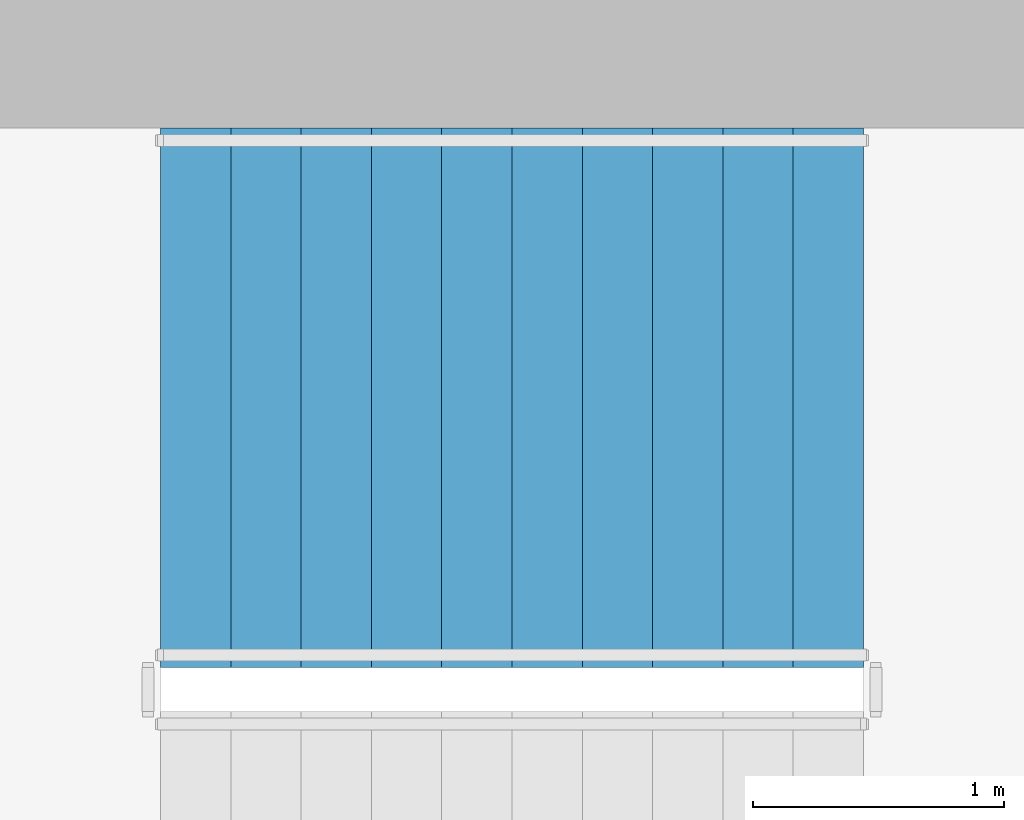
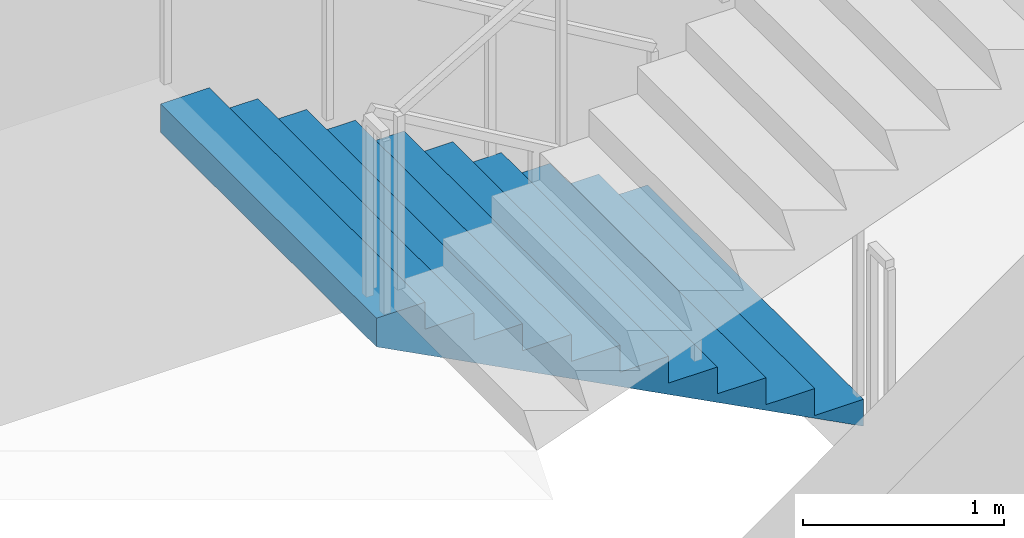
# One storey, part 12 of 20: 1 stair flight, 1 element without a shape of its own.
"""IFC4 building model written with IfcOpenShell, lengths in metres."""

import ifcopenshell
import ifcopenshell.guid

model = None  # the IFC model being written
_history = None  # IfcOwnerHistory: only IFC2X3 demands one
_inside = {}  # id of a spatial element -> (the spatial element, [elements in it])
_under = {}  # id of a project, library or spatial element -> (it, [spatial elements below it])
_declared = {}  # id of a project -> (the project, [libraries it declares])
_typed = {}  # id of a type object -> (the type object, [elements of that type])
_made_of = {}  # id of a material, layer set ... -> (it, [elements and type objects made of it])


def new_model(schema):
    """Start an empty IFC model of exactly this schema.

    Asked for "IFC4X3", IfcOpenShell would pick the latest addendum, in which some entities
    have other attributes; the version numbers below select the first issue.
    IFC2X3 requires an IfcOwnerHistory on every rooted entity: one is made here for all.
    """
    global model, _history
    if schema == "IFC4X3":
        model = ifcopenshell.file(schema_version=(4, 3, 0, 0))
    else:
        model = ifcopenshell.file(schema=schema)
    _inside.clear()
    _under.clear()
    _declared.clear()
    _typed.clear()
    _made_of.clear()
    _history = None
    if model.schema == "IFC2X3":
        org = make("IfcOrganization", Name="unknown")
        user = make(
            "IfcPersonAndOrganization",
            ThePerson=make("IfcPerson", FamilyName="unknown"),
            TheOrganization=org,
        )
        app = make(
            "IfcApplication",
            ApplicationDeveloper=org,
            Version="unknown",
            ApplicationFullName="unknown",
            ApplicationIdentifier="unknown",
        )
        _history = make(
            "IfcOwnerHistory",
            OwningUser=user,
            OwningApplication=app,
            ChangeAction="ADDED",
            CreationDate=0,
        )
    return model


def make(cls, **values):
    """One entity of the class cls with the attributes given. An attribute that is None is left unset."""
    return model.create_entity(
        cls, **{name: value for name, value in values.items() if value is not None}
    )


def rooted(cls, **values):
    """An entity with a GlobalId (a new one), such as an element, a storey or a relation."""
    return make(cls, GlobalId=ifcopenshell.guid.new(), OwnerHistory=_history, **values)


def si_unit(unit_type, name, prefix=None):
    """IfcSIUnit, for example si_unit("LENGTHUNIT", "METRE", prefix="MILLI")."""
    return make("IfcSIUnit", UnitType=unit_type, Prefix=prefix, Name=name)


def assignment(units):
    """IfcUnitAssignment: the units of a project."""
    return None if units is None else make("IfcUnitAssignment", Units=units)


def point(xyz):
    """IfcCartesianPoint."""
    return None if xyz is None else make("IfcCartesianPoint", Coordinates=xyz)


def direction(xyz):
    """IfcDirection."""
    return None if xyz is None else make("IfcDirection", DirectionRatios=xyz)


def frame(location, z_axis=None, x_axis=None):
    """IfcAxis2Placement3D, a coordinate frame: its origin and axes. An axis left out is left unset."""
    return make(
        "IfcAxis2Placement3D",
        Location=point(location),
        Axis=direction(z_axis),
        RefDirection=direction(x_axis),
    )


def origin():
    """The frame at (0, 0, 0) with its axes left unset."""
    return frame((0.0, 0.0, 0.0))


def place(relative_to, where):
    """IfcLocalPlacement: puts the frame where relative to a parent placement (None: the world)."""
    return make(
        "IfcLocalPlacement", PlacementRelTo=relative_to, RelativePlacement=where
    )


def context(
    kind, dimensions, precision=None, world=None, true_north=None, identifier=None
):
    """IfcGeometricRepresentationContext, for example the 3D "Model" context."""
    return make(
        "IfcGeometricRepresentationContext",
        ContextIdentifier=identifier,
        ContextType=kind,
        CoordinateSpaceDimension=dimensions,
        Precision=precision,
        WorldCoordinateSystem=world,
        TrueNorth=true_north,
    )


def subcontext(parent, identifier, kind, view, scale=None):
    """IfcGeometricRepresentationSubContext, for example "Body" below "Model"."""
    return make(
        "IfcGeometricRepresentationSubContext",
        ContextIdentifier=identifier,
        ContextType=kind,
        ParentContext=parent,
        TargetScale=scale,
        TargetView=view,
    )


def project(units=None, contexts=None):
    """IfcProject with its units and contexts."""
    return rooted(
        "IfcProject",
        Name="project",
        RepresentationContexts=contexts,
        UnitsInContext=assignment(units),
    )


def spatial(cls, under=None, at=None, **own):
    """A site, building, storey or space (cls), placed at a placement, below another one or the project."""
    s = rooted(cls, ObjectPlacement=at, **own)
    if under is not None:
        _under.setdefault(under.id(), (under, []))[1].append(s)
    return s


def point_list(points):
    """IfcCartesianPointList2D or 3D."""
    cls = (
        "IfcCartesianPointList2D" if len(points[0]) == 2 else "IfcCartesianPointList3D"
    )
    return make(cls, CoordList=points)


def triangles(points, corners, closed=None, point_numbers=None):
    """IfcTriangulatedFaceSet: each triangle names its three corners, points numbered from 1."""
    return make(
        "IfcTriangulatedFaceSet",
        Coordinates=point_list(points),
        Closed=closed,
        CoordIndex=corners,
        PnIndex=point_numbers,
    )


def shape(context_of_items, identifier, shape_type, items):
    """IfcShapeRepresentation: the items that make up one representation, for example the "Body"."""
    return make(
        "IfcShapeRepresentation",
        ContextOfItems=context_of_items,
        RepresentationIdentifier=identifier,
        RepresentationType=shape_type,
        Items=items,
    )


def material(Name=None, Category=None):
    """IfcMaterial."""
    return make("IfcMaterial", Name=Name, Category=Category)


def made_of(thing, what):
    """Note that an element or type object is made of a material, layer set ...; save() writes the relation."""
    if what is not None:
        _made_of.setdefault(what.id(), (what, []))[1].append(thing)
    return thing


def type_object(cls, material=None, **own):
    """A type object (cls), such as IfcWallType, which elements share."""
    return made_of(rooted(cls, **own), material)


def element(
    cls,
    number,
    at=None,
    inside=None,
    cuts=None,
    type_object=None,
    material=None,
    context=None,
    identifier="Body",
    shape_type=None,
    held_by="IfcProductDefinitionShape",
    body=None,
    shapes=None,
    **own,
):
    """One element of the class cls, such as IfcWall. Its Tag is "e" and its number.

    at: its placement. inside: the storey or other place that contains it. cuts: it is an
    opening in that element (IfcRelVoidsElement). A single representation is given by context,
    identifier, shape_type and body (its items); several are given by shapes. held_by: the class
    of the entity that holds the representations. save() writes the other relations.
    """
    e = rooted(cls, Tag="e%d" % number, ObjectPlacement=at, **own)
    if body is not None:
        shapes = [shape(context, identifier, shape_type, body)]
    if shapes is not None:
        e.Representation = make(held_by, Representations=shapes)
    if inside is not None:
        _inside.setdefault(inside.id(), (inside, []))[1].append(e)
    if cuts is not None:
        rooted(
            "IfcRelVoidsElement", RelatingBuildingElement=cuts, RelatedOpeningElement=e
        )
    if type_object is not None:
        _typed.setdefault(type_object.id(), (type_object, []))[1].append(e)
    return made_of(e, material)


def aggregate(whole, parts):
    """IfcRelAggregates: a whole, such as a stair, and the parts it consists of."""
    return rooted("IfcRelAggregates", RelatingObject=whole, RelatedObjects=parts)


def save(model, path):
    """Write the relations noted so far, then the file.

    IfcRelAggregates (storeys below a building ...), IfcRelContainedInSpatialStructure (elements
    in a storey), IfcRelDefinesByType, IfcRelAssociatesMaterial and IfcRelDeclares: one each for
    every whole, place, type object, material and project.
    """
    for whole, parts in _under.values():
        aggregate(whole, parts)
    for where, things in _inside.values():
        rooted(
            "IfcRelContainedInSpatialStructure",
            RelatedElements=things,
            RelatingStructure=where,
        )
    for kind, things in _typed.values():
        rooted("IfcRelDefinesByType", RelatedObjects=things, RelatingType=kind)
    for what, things in _made_of.values():
        rooted("IfcRelAssociatesMaterial", RelatedObjects=things, RelatingMaterial=what)
    for by, libraries in _declared.values():
        rooted("IfcRelDeclares", RelatingContext=by, RelatedDefinitions=libraries)
    model.write(path)


model = new_model("IFC4")

# Units and contexts
model_context = context("Model", 3, precision=1e-05, world=origin(), true_north=direction((0.0, 1.0)))
body_context = subcontext(model_context, "Body", "Model", "MODEL_VIEW")
ifc_project = project(units=[si_unit("LENGTHUNIT", "METRE"), si_unit("AREAUNIT", "SQUARE_METRE"), si_unit("VOLUMEUNIT", "CUBIC_METRE"), si_unit("PLANEANGLEUNIT", "RADIAN"), si_unit("MASSUNIT", "GRAM", prefix="KILO")], contexts=[model_context])

# Site, building, storey
site_placement = place(None, origin())
site = spatial("IfcSite", under=ifc_project, at=site_placement, CompositionType="ELEMENT")
building_placement = place(site_placement, origin())
building = spatial("IfcBuilding", under=site, at=building_placement, Name="Cypress Arch Tower", CompositionType="ELEMENT")
storey_placement = place(building_placement, frame((0.0, 0.0, 134.699951171875)))
storey = spatial("IfcBuildingStorey", under=building, at=storey_placement, Name="L29", CompositionType="ELEMENT", Elevation=134.699951171875)

# Stair, stair flight
ifc_material_1 = material(Name="Concrete C40/50", Category="concrete")
stair_type = type_object("IfcStairType", Name="Exit stair ES1636-215", PredefinedType="HALF_TURN_STAIR", material=ifc_material_1)
stair_placement = place(storey_placement, origin())
stair = element("IfcStair", 1, at=stair_placement, inside=storey, type_object=stair_type, Name="L29 Exit stair B", PredefinedType="HALF_TURN_STAIR")
ifc_material_2 = material(Name="Concrete C40/50", Category="concrete")
stair_flight_type = type_object("IfcStairFlightType", Name="Exit stair flight ES1636-215", PredefinedType="STRAIGHT", material=ifc_material_2)
stair_flight_placement = place(storey_placement, frame((-22.27490234375, 13.72509765625, 0.0), z_axis=(0.0, 0.0, 1.0), x_axis=(-1.0, 0.0, 0.0)))
stair_flight = element("IfcStairFlight", 2, at=stair_flight_placement, type_object=stair_flight_type, Name="B flight 1", NumberOfRisers=11, NumberOfTreads=10, PredefinedType="STRAIGHT", RiserHeight=0.163636364, TreadLength=0.28, context=body_context, shape_type="Tessellation", body=[
    triangles([(0.0, -1.074951171875, 0.0), (0.000244140625, -1.074951171875, 0.03271484375), (0.00048828125, -1.074951171875, 0.0654296875), (0.00048828125, -1.074951171875, 0.09814453125), (0.000244140625, -1.074951171875, 0.130859375), (0.0, -1.074951171875, 0.16357421875), (0.280029296875, -1.074951171875, 0.16357421875), (0.280029296875, -1.074951171875, 0.327392578125), (0.56005859375, -1.074951171875, 0.327392578125), (0.56005859375, -1.074951171875, 0.490966796875), (0.840087890625, -1.074951171875, 0.490966796875), (0.840087890625, -1.074951171875, 0.654541015625), (1.1201171875, -1.074951171875, 0.654541015625), (1.1201171875, -1.074951171875, 0.818115234375), (1.39990234375, -1.074951171875, 0.818115234375), (1.39990234375, -1.074951171875, 0.98193359375), (1.679931640625, -1.074951171875, 0.98193359375), (1.679931640625, -1.074951171875, 1.1455078125), (1.9599609375, -1.074951171875, 1.1455078125), (1.9599609375, -1.074951171875, 1.30908203125), (2.239990234375, -1.074951171875, 1.30908203125), (2.239990234375, -1.074951171875, 1.47265625), (2.52001953125, -1.074951171875, 1.47265625), (2.52001953125, -1.074951171875, 1.636474609375), (2.800048828125, -1.074951171875, 1.636474609375), (2.7998046875, -1.074951171875, 1.601806640625), (2.799560546875, -1.074951171875, 1.56689453125), (2.799560546875, -1.074951171875, 1.5322265625), (2.7998046875, -1.074951171875, 1.497314453125), (2.800048828125, -1.074951171875, 1.462646484375), (2.800048828125, 1.074951171875, 1.462646484375), (2.7998046875, 1.074951171875, 1.497314453125), (2.799560546875, 1.074951171875, 1.5322265625), (2.799560546875, 1.074951171875, 1.56689453125), (2.7998046875, 1.074951171875, 1.601806640625), (2.800048828125, 1.074951171875, 1.636474609375), (2.52001953125, 1.074951171875, 1.636474609375), (2.52001953125, 1.074951171875, 1.47265625), (2.239990234375, 1.074951171875, 1.47265625), (2.239990234375, 1.074951171875, 1.30908203125), (1.9599609375, 1.074951171875, 1.30908203125), (1.9599609375, 1.074951171875, 1.1455078125), (1.679931640625, 1.074951171875, 1.1455078125), (1.679931640625, 1.074951171875, 0.98193359375), (1.39990234375, 1.074951171875, 0.98193359375), (1.39990234375, 1.074951171875, 0.818115234375), (1.1201171875, 1.074951171875, 0.818115234375), (1.1201171875, 1.074951171875, 0.654541015625), (0.840087890625, 1.074951171875, 0.654541015625), (0.840087890625, 1.074951171875, 0.490966796875), (0.56005859375, 1.074951171875, 0.490966796875), (0.56005859375, 1.074951171875, 0.327392578125), (0.280029296875, 1.074951171875, 0.327392578125), (0.280029296875, 1.074951171875, 0.16357421875), (0.0, 1.074951171875, 0.16357421875), (0.000244140625, 1.074951171875, 0.130859375), (0.00048828125, 1.074951171875, 0.09814453125), (0.00048828125, 1.074951171875, 0.0654296875), (0.000244140625, 1.074951171875, 0.03271484375), (0.0, 1.074951171875, 0.0), (2.7998046875, 0.0, 1.497314453125), (2.800048828125, 0.0, 1.462646484375), (2.799560546875, 0.0, 1.5322265625), (2.799560546875, 0.0, 1.56689453125), (2.7998046875, 0.0, 1.601806640625), (2.800048828125, 0.0, 1.636474609375), (2.52001953125, 0.0, 1.636474609375), (2.52001953125, 0.0, 1.47265625), (2.239990234375, 0.0, 1.47265625), (2.239990234375, 0.0, 1.30908203125), (1.9599609375, 0.0, 1.30908203125), (1.9599609375, 0.0, 1.1455078125), (1.679931640625, 0.0, 1.1455078125), (1.679931640625, 0.0, 0.98193359375), (1.39990234375, 0.0, 0.98193359375), (1.39990234375, 0.0, 0.818115234375), (1.1201171875, 0.0, 0.818115234375), (1.1201171875, 0.0, 0.654541015625), (0.840087890625, 0.0, 0.654541015625), (0.840087890625, 0.0, 0.490966796875), (0.56005859375, 0.0, 0.490966796875), (0.56005859375, 0.0, 0.327392578125), (0.280029296875, 0.0, 0.327392578125), (0.280029296875, 0.0, 0.16357421875), (0.0, 0.0, 0.16357421875), (0.000244140625, 0.0, 0.130859375), (0.00048828125, 0.0, 0.09814453125), (0.00048828125, 0.0, 0.0654296875), (0.000244140625, 0.0, 0.03271484375), (0.0, 0.0, 0.0)], [[30, 29, 24], [29, 28, 24], [28, 27, 24], [27, 26, 24], [26, 25, 24], [17, 16, 15], [9, 8, 7], [15, 14, 13], [23, 22, 21], [21, 20, 19], [19, 18, 17], [13, 12, 11], [11, 10, 9], [6, 5, 7], [5, 4, 7], [4, 3, 7], [3, 2, 7], [2, 1, 7], [30, 24, 23], [30, 23, 21], [30, 21, 19], [30, 19, 17], [30, 17, 15], [30, 15, 13], [30, 13, 11], [30, 11, 9], [30, 9, 7], [30, 7, 1], [31, 37, 32], [32, 37, 33], [33, 37, 34], [34, 37, 35], [35, 37, 36], [44, 46, 45], [52, 54, 53], [46, 48, 47], [38, 40, 39], [40, 42, 41], [42, 44, 43], [48, 50, 49], [50, 52, 51], [55, 54, 56], [56, 54, 57], [57, 54, 58], [58, 54, 59], [59, 54, 60], [31, 38, 37], [31, 40, 38], [31, 42, 40], [31, 44, 42], [31, 46, 44], [31, 48, 46], [31, 50, 48], [31, 52, 50], [31, 54, 52], [31, 60, 54], [62, 61, 29], [62, 29, 30], [31, 32, 61], [31, 61, 62], [61, 63, 28], [61, 28, 29], [32, 33, 63], [32, 63, 61], [63, 64, 27], [63, 27, 28], [33, 34, 64], [33, 64, 63], [64, 65, 26], [64, 26, 27], [34, 35, 65], [34, 65, 64], [65, 66, 25], [65, 25, 26], [35, 36, 66], [35, 66, 65], [66, 67, 24], [66, 24, 25], [36, 37, 67], [36, 67, 66], [67, 68, 23], [67, 23, 24], [37, 38, 68], [37, 68, 67], [68, 69, 22], [68, 22, 23], [38, 39, 69], [38, 69, 68], [69, 70, 21], [69, 21, 22], [39, 40, 70], [39, 70, 69], [70, 71, 20], [70, 20, 21], [40, 41, 71], [40, 71, 70], [71, 72, 19], [71, 19, 20], [41, 42, 72], [41, 72, 71], [72, 73, 18], [72, 18, 19], [42, 43, 73], [42, 73, 72], [73, 74, 17], [73, 17, 18], [43, 44, 74], [43, 74, 73], [74, 75, 16], [74, 16, 17], [44, 45, 75], [44, 75, 74], [75, 76, 15], [75, 15, 16], [45, 46, 76], [45, 76, 75], [76, 77, 14], [76, 14, 15], [46, 47, 77], [46, 77, 76], [77, 78, 13], [77, 13, 14], [47, 48, 78], [47, 78, 77], [78, 79, 12], [78, 12, 13], [48, 49, 79], [48, 79, 78], [79, 80, 11], [79, 11, 12], [49, 50, 80], [49, 80, 79], [80, 81, 10], [80, 10, 11], [50, 51, 81], [50, 81, 80], [81, 82, 9], [81, 9, 10], [51, 52, 82], [51, 82, 81], [82, 83, 8], [82, 8, 9], [52, 53, 83], [52, 83, 82], [83, 84, 7], [83, 7, 8], [53, 54, 84], [53, 84, 83], [84, 85, 6], [84, 6, 7], [54, 55, 85], [54, 85, 84], [85, 86, 5], [85, 5, 6], [55, 56, 86], [55, 86, 85], [86, 87, 4], [86, 4, 5], [56, 57, 87], [56, 87, 86], [87, 88, 3], [87, 3, 4], [57, 58, 88], [57, 88, 87], [88, 89, 2], [88, 2, 3], [58, 59, 89], [58, 89, 88], [89, 90, 1], [89, 1, 2], [59, 60, 90], [59, 90, 89], [90, 62, 30], [90, 30, 1], [60, 31, 62], [60, 62, 90]], closed=True),
])
aggregate(stair, [stair_flight])

save(model, "model.ifc")
